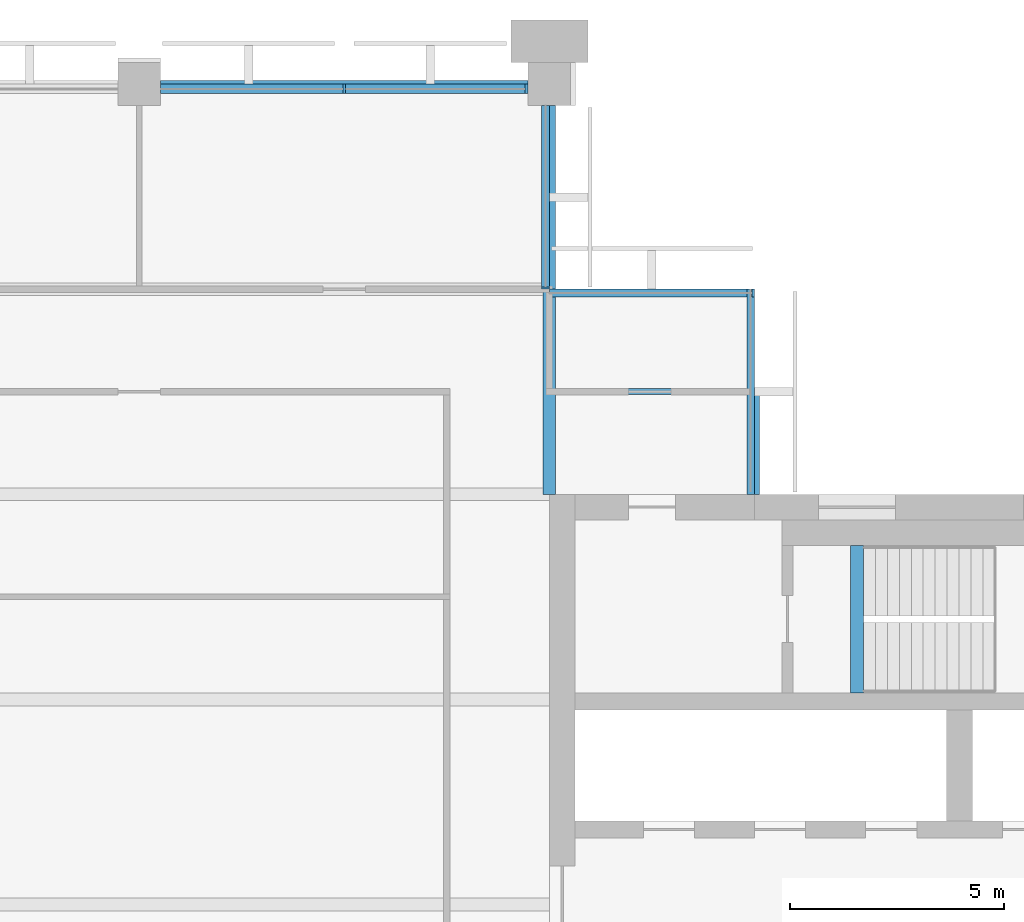
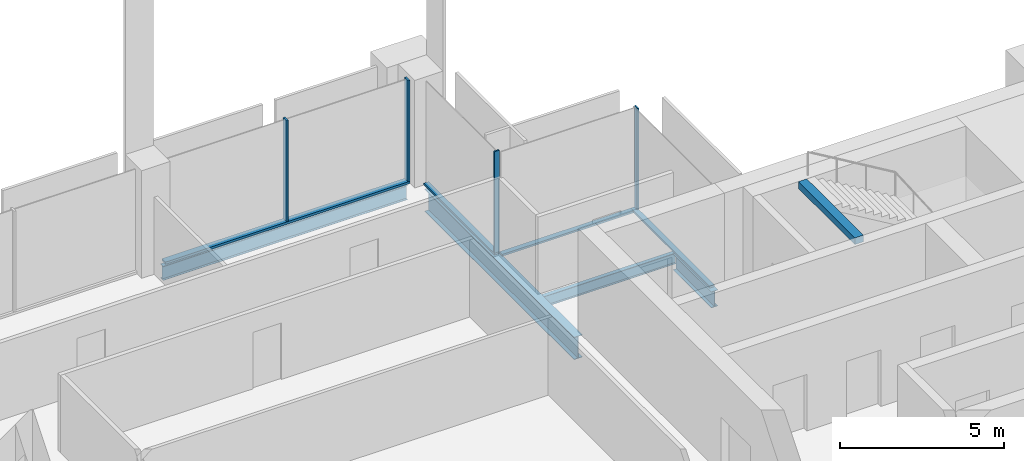
# One storey, part 6 of 12: 8 members, 5 beams, 4 elements without a shape of their own.
"""IFC4 building model written with IfcOpenShell, lengths in metres."""

import ifcopenshell
import ifcopenshell.guid

model = None  # the IFC model being written
_history = None  # IfcOwnerHistory: only IFC2X3 demands one
_inside = {}  # id of a spatial element -> (the spatial element, [elements in it])
_under = {}  # id of a project, library or spatial element -> (it, [spatial elements below it])
_declared = {}  # id of a project -> (the project, [libraries it declares])
_typed = {}  # id of a type object -> (the type object, [elements of that type])
_made_of = {}  # id of a material, layer set ... -> (it, [elements and type objects made of it])


def new_model(schema):
    """Start an empty IFC model of exactly this schema.

    Asked for "IFC4X3", IfcOpenShell would pick the latest addendum, in which some entities
    have other attributes; the version numbers below select the first issue.
    IFC2X3 requires an IfcOwnerHistory on every rooted entity: one is made here for all.
    """
    global model, _history
    if schema == "IFC4X3":
        model = ifcopenshell.file(schema_version=(4, 3, 0, 0))
    else:
        model = ifcopenshell.file(schema=schema)
    _inside.clear()
    _under.clear()
    _declared.clear()
    _typed.clear()
    _made_of.clear()
    _history = None
    if model.schema == "IFC2X3":
        org = make("IfcOrganization", Name="unknown")
        user = make(
            "IfcPersonAndOrganization",
            ThePerson=make("IfcPerson", FamilyName="unknown"),
            TheOrganization=org,
        )
        app = make(
            "IfcApplication",
            ApplicationDeveloper=org,
            Version="unknown",
            ApplicationFullName="unknown",
            ApplicationIdentifier="unknown",
        )
        _history = make(
            "IfcOwnerHistory",
            OwningUser=user,
            OwningApplication=app,
            ChangeAction="ADDED",
            CreationDate=0,
        )
    return model


def make(cls, **values):
    """One entity of the class cls with the attributes given. An attribute that is None is left unset."""
    return model.create_entity(
        cls, **{name: value for name, value in values.items() if value is not None}
    )


def rooted(cls, **values):
    """An entity with a GlobalId (a new one), such as an element, a storey or a relation."""
    return make(cls, GlobalId=ifcopenshell.guid.new(), OwnerHistory=_history, **values)


def si_unit(unit_type, name, prefix=None):
    """IfcSIUnit, for example si_unit("LENGTHUNIT", "METRE", prefix="MILLI")."""
    return make("IfcSIUnit", UnitType=unit_type, Prefix=prefix, Name=name)


def assignment(units):
    """IfcUnitAssignment: the units of a project."""
    return None if units is None else make("IfcUnitAssignment", Units=units)


def point(xyz):
    """IfcCartesianPoint."""
    return None if xyz is None else make("IfcCartesianPoint", Coordinates=xyz)


def direction(xyz):
    """IfcDirection."""
    return None if xyz is None else make("IfcDirection", DirectionRatios=xyz)


def frame(location, z_axis=None, x_axis=None):
    """IfcAxis2Placement3D, a coordinate frame: its origin and axes. An axis left out is left unset."""
    return make(
        "IfcAxis2Placement3D",
        Location=point(location),
        Axis=direction(z_axis),
        RefDirection=direction(x_axis),
    )


def frame_2d(location, x_axis=None):
    """IfcAxis2Placement2D, a coordinate frame in the plane: its origin and x axis."""
    return make(
        "IfcAxis2Placement2D", Location=point(location), RefDirection=direction(x_axis)
    )


def origin():
    """The frame at (0, 0, 0) with its axes left unset."""
    return frame((0.0, 0.0, 0.0))


def origin_2d():
    """The frame at (0, 0) in the plane with its x axis left unset."""
    return frame_2d((0.0, 0.0))


def place(relative_to, where):
    """IfcLocalPlacement: puts the frame where relative to a parent placement (None: the world)."""
    return make(
        "IfcLocalPlacement", PlacementRelTo=relative_to, RelativePlacement=where
    )


def context(
    kind, dimensions, precision=None, world=None, true_north=None, identifier=None
):
    """IfcGeometricRepresentationContext, for example the 3D "Model" context."""
    return make(
        "IfcGeometricRepresentationContext",
        ContextIdentifier=identifier,
        ContextType=kind,
        CoordinateSpaceDimension=dimensions,
        Precision=precision,
        WorldCoordinateSystem=world,
        TrueNorth=true_north,
    )


def subcontext(parent, identifier, kind, view, scale=None):
    """IfcGeometricRepresentationSubContext, for example "Body" below "Model"."""
    return make(
        "IfcGeometricRepresentationSubContext",
        ContextIdentifier=identifier,
        ContextType=kind,
        ParentContext=parent,
        TargetScale=scale,
        TargetView=view,
    )


def project(units=None, contexts=None):
    """IfcProject with its units and contexts."""
    return rooted(
        "IfcProject",
        Name="project",
        RepresentationContexts=contexts,
        UnitsInContext=assignment(units),
    )


def spatial(cls, under=None, at=None, **own):
    """A site, building, storey or space (cls), placed at a placement, below another one or the project."""
    s = rooted(cls, ObjectPlacement=at, **own)
    if under is not None:
        _under.setdefault(under.id(), (under, []))[1].append(s)
    return s


def profile(cls, at=None, kind="AREA", **sizes):
    """A parametric profile (cls). Its sizes go by their IFC names, for example OverallWidth=200.0."""
    return make(cls, ProfileType=kind, Position=at, **sizes)


def rectangle(**sizes):
    """IfcRectangleProfileDef."""
    return profile("IfcRectangleProfileDef", **sizes)


def i_section(**sizes):
    """IfcIShapeProfileDef."""
    return profile("IfcIShapeProfileDef", **sizes)


def extrude(swept, where, along, depth):
    """IfcExtrudedAreaSolid: the profile swept, set in the frame where, extruded along a direction by depth."""
    return make(
        "IfcExtrudedAreaSolid",
        SweptArea=swept,
        Position=where,
        ExtrudedDirection=direction(along),
        Depth=depth,
    )


def shape(context_of_items, identifier, shape_type, items):
    """IfcShapeRepresentation: the items that make up one representation, for example the "Body"."""
    return make(
        "IfcShapeRepresentation",
        ContextOfItems=context_of_items,
        RepresentationIdentifier=identifier,
        RepresentationType=shape_type,
        Items=items,
    )


def material(Name=None, Category=None):
    """IfcMaterial."""
    return make("IfcMaterial", Name=Name, Category=Category)


def material_profile(
    of_material, cross_section, Name=None, Category=None, Priority=None
):
    """IfcMaterialProfile: a cross section and its material."""
    return make(
        "IfcMaterialProfile",
        Name=Name,
        Material=of_material,
        Profile=cross_section,
        Priority=Priority,
        Category=Category,
    )


def profile_set(profiles, Name=None, composite=None):
    """IfcMaterialProfileSet."""
    return make(
        "IfcMaterialProfileSet",
        Name=Name,
        MaterialProfiles=profiles,
        CompositeProfile=composite,
    )


def made_of(thing, what):
    """Note that an element or type object is made of a material, layer set ...; save() writes the relation."""
    if what is not None:
        _made_of.setdefault(what.id(), (what, []))[1].append(thing)
    return thing


def type_object(cls, material=None, **own):
    """A type object (cls), such as IfcWallType, which elements share."""
    return made_of(rooted(cls, **own), material)


def element(
    cls,
    number,
    at=None,
    inside=None,
    cuts=None,
    type_object=None,
    material=None,
    context=None,
    identifier="Body",
    shape_type=None,
    held_by="IfcProductDefinitionShape",
    body=None,
    shapes=None,
    **own,
):
    """One element of the class cls, such as IfcWall. Its Tag is "e" and its number.

    at: its placement. inside: the storey or other place that contains it. cuts: it is an
    opening in that element (IfcRelVoidsElement). A single representation is given by context,
    identifier, shape_type and body (its items); several are given by shapes. held_by: the class
    of the entity that holds the representations. save() writes the other relations.
    """
    e = rooted(cls, Tag="e%d" % number, ObjectPlacement=at, **own)
    if body is not None:
        shapes = [shape(context, identifier, shape_type, body)]
    if shapes is not None:
        e.Representation = make(held_by, Representations=shapes)
    if inside is not None:
        _inside.setdefault(inside.id(), (inside, []))[1].append(e)
    if cuts is not None:
        rooted(
            "IfcRelVoidsElement", RelatingBuildingElement=cuts, RelatedOpeningElement=e
        )
    if type_object is not None:
        _typed.setdefault(type_object.id(), (type_object, []))[1].append(e)
    return made_of(e, material)


def aggregate(whole, parts):
    """IfcRelAggregates: a whole, such as a stair, and the parts it consists of."""
    return rooted("IfcRelAggregates", RelatingObject=whole, RelatedObjects=parts)


def save(model, path):
    """Write the relations noted so far, then the file.

    IfcRelAggregates (storeys below a building ...), IfcRelContainedInSpatialStructure (elements
    in a storey), IfcRelDefinesByType, IfcRelAssociatesMaterial and IfcRelDeclares: one each for
    every whole, place, type object, material and project.
    """
    for whole, parts in _under.values():
        aggregate(whole, parts)
    for where, things in _inside.values():
        rooted(
            "IfcRelContainedInSpatialStructure",
            RelatedElements=things,
            RelatingStructure=where,
        )
    for kind, things in _typed.values():
        rooted("IfcRelDefinesByType", RelatedObjects=things, RelatingType=kind)
    for what, things in _made_of.values():
        rooted("IfcRelAssociatesMaterial", RelatedObjects=things, RelatingMaterial=what)
    for by, libraries in _declared.values():
        rooted("IfcRelDeclares", RelatingContext=by, RelatedDefinitions=libraries)
    model.write(path)


model = new_model("IFC4")

# Units and contexts
model_context = context("Model", 3, precision=1e-05, world=origin(), true_north=direction((0.0, 1.0)))
body_context = subcontext(model_context, "Body", "Model", "MODEL_VIEW")
ifc_project = project(units=[si_unit("LENGTHUNIT", "METRE"), si_unit("AREAUNIT", "SQUARE_METRE"), si_unit("VOLUMEUNIT", "CUBIC_METRE"), si_unit("PLANEANGLEUNIT", "RADIAN"), si_unit("MASSUNIT", "GRAM", prefix="KILO")], contexts=[model_context])

# Site, building, storey
site_placement = place(None, origin())
site = spatial("IfcSite", under=ifc_project, at=site_placement, CompositionType="ELEMENT")
building_placement = place(site_placement, origin())
building = spatial("IfcBuilding", under=site, at=building_placement, Name="Baori Bourse Tower", CompositionType="ELEMENT")
storey_placement = place(building_placement, frame((0.0, 0.0, 306.300048828125)))
storey = spatial("IfcBuildingStorey", under=building, at=storey_placement, Name="L67", CompositionType="ELEMENT", Elevation=306.300048828125)

# Curtain wall, member
ifc_material_1 = material(Name="Pale anodised aluminium", Category="aluminium")
curtain_wall_type_1 = type_object("IfcCurtainWallType", Name="CW2 Curtain wall", PredefinedType="NOTDEFINED", material=ifc_material_1)
curtain_wall_1_placement = place(storey_placement, origin())
curtain_wall_1 = element("IfcCurtainWall", 1, at=curtain_wall_1_placement, inside=storey, type_object=curtain_wall_type_1, Name="Curtain wall CW2 L67 2", PredefinedType="NOTDEFINED")
ifc_material_2 = material(Name="Pale anodised aluminium", Category="aluminium")
ifc_material_profile_1 = material_profile(ifc_material_2, rectangle(XDim=0.179931640625, YDim=0.054931640625, at=origin_2d()), Name="Mullion 55x180")
ifc_profile_set_1 = profile_set([ifc_material_profile_1], Name="Pale anodised aluminium")
member_type_1 = type_object("IfcMemberType", Name="CW2 Curtain wall mullion", PredefinedType="MULLION", material=ifc_profile_set_1)
member_1_placement = place(storey_placement, frame((43.172607421875, 43.110107421875, 0.070068359375), z_axis=(0.0, 0.0, 1.0), x_axis=(0.0, -1.0, 0.0)))
member_1 = element("IfcMember", 2, at=member_1_placement, type_object=member_type_1, Name="Curtain wall CW2 mullion", PredefinedType="MULLION", context=body_context, shape_type="SweptSolid", body=[
    extrude(rectangle(XDim=0.179931640625, YDim=0.054931640625, at=origin_2d()), origin(), (0.0, 0.0, 1.0), 3.769775390625),
])

curtain_wall_2_placement = place(storey_placement, origin())
curtain_wall_2 = element("IfcCurtainWall", 3, at=curtain_wall_2_placement, inside=storey, type_object=curtain_wall_type_1, Name="Curtain wall CW2 L67 3", PredefinedType="NOTDEFINED")
member_2_placement = place(storey_placement, frame((38.31005859375, 43.2275390625, 0.070068359375), z_axis=(0.0, 0.0, 1.0), x_axis=(-1.0, 0.0, 0.0)))
member_2 = element("IfcMember", 4, at=member_2_placement, type_object=member_type_1, Name="Curtain wall CW2 mullion", PredefinedType="MULLION", context=body_context, shape_type="SweptSolid", body=[
    extrude(rectangle(XDim=0.179931640625, YDim=0.054931640625, at=origin_2d()), origin(), (0.0, 0.0, 1.0), 3.769775390625),
])

curtain_wall_3_placement = place(storey_placement, origin())
curtain_wall_3 = element("IfcCurtainWall", 5, at=curtain_wall_3_placement, inside=storey, type_object=curtain_wall_type_1, Name="Curtain wall CW2 L67 1", PredefinedType="NOTDEFINED")
ifc_material_3 = material(Name="Pale anodised aluminium", Category="aluminium")
ifc_material_profile_2 = material_profile(ifc_material_3, rectangle(XDim=0.179931640625, YDim=0.070068359375, at=origin_2d()), Name="Transom 70x180")
ifc_profile_set_2 = profile_set([ifc_material_profile_2], Name="Pale anodised aluminium")
member_type_2 = type_object("IfcMemberType", Name="CW2 Curtain wall transom", PredefinedType="USERDEFINED", material=ifc_profile_set_2)
member_3_placement = place(storey_placement, frame((43.110107421875, 38.39990234375, 0.034912109375), z_axis=(0.0, 1.0, 0.0), x_axis=(-1.0, 0.0, 0.0)))
member_3 = element("IfcMember", 6, at=member_3_placement, type_object=member_type_2, Name="Curtain wall CW2 sill rail", ObjectType="TRANSOM", PredefinedType="USERDEFINED", context=body_context, shape_type="SweptSolid", body=[
    extrude(rectangle(XDim=0.179931640625, YDim=0.070068359375, at=origin_2d()), origin(), (0.0, 0.0, 1.0), 4.800048828125),
])
aggregate(curtain_wall_3, [member_3])

# Member
member_4_placement = place(storey_placement, frame((43.199951171875, 43.110107421875, 0.034912109375), z_axis=(-1.0, 0.0, 0.0), x_axis=(0.0, -1.0, 0.0)))
member_4 = element("IfcMember", 7, at=member_4_placement, type_object=member_type_2, Name="Curtain wall CW2 sill rail", ObjectType="TRANSOM", PredefinedType="USERDEFINED", context=body_context, shape_type="SweptSolid", body=[
    extrude(rectangle(XDim=0.179931640625, YDim=0.070068359375, at=origin_2d()), origin(), (0.0, 0.0, 1.0), 4.800048828125),
])

aggregate(curtain_wall_1, [member_4, member_1])

member_5_placement = place(storey_placement, frame((38.31005859375, 43.199951171875, 0.034912109375), z_axis=(0.0, 1.0, 0.0), x_axis=(-1.0, 0.0, 0.0)))
member_5 = element("IfcMember", 8, at=member_5_placement, type_object=member_type_2, Name="Curtain wall CW2 sill rail", ObjectType="TRANSOM", PredefinedType="USERDEFINED", context=body_context, shape_type="SweptSolid", body=[
    extrude(rectangle(XDim=0.179931640625, YDim=0.070068359375, at=origin_2d()), origin(), (0.0, 0.0, 1.0), 4.300048828125),
])

aggregate(curtain_wall_2, [member_5, member_2])

# Curtain wall, members
ifc_material_4 = material(Name="Pale anodised aluminium", Category="aluminium")
curtain_wall_type_2 = type_object("IfcCurtainWallType", Name="CW5 Curtain wall", PredefinedType="NOTDEFINED", material=ifc_material_4)
curtain_wall_4_placement = place(storey_placement, origin())
curtain_wall_4 = element("IfcCurtainWall", 9, at=curtain_wall_4_placement, inside=storey, type_object=curtain_wall_type_2, Name="Curtain wall CW5 L67 4", PredefinedType="NOTDEFINED")
ifc_material_5 = material(Name="Pale anodised aluminium", Category="aluminium")
ifc_material_profile_3 = material_profile(ifc_material_5, rectangle(XDim=0.219970703125, YDim=0.06494140625, at=origin_2d()), Name="Mullion 65x220")
ifc_profile_set_3 = profile_set([ifc_material_profile_3], Name="Pale anodised aluminium")
member_type_3 = type_object("IfcMemberType", Name="CW5 Curtain wall mullion", PredefinedType="MULLION", material=ifc_profile_set_3)
member_6_placement = place(storey_placement, frame((37.867431640625, 47.889892578125, 0.0849609375), z_axis=(0.0, 0.0, 1.0), x_axis=(0.0, -1.0, 0.0)))
member_6 = element("IfcMember", 10, at=member_6_placement, type_object=member_type_3, Name="Curtain wall CW5 mullion", PredefinedType="MULLION", context=body_context, shape_type="SweptSolid", body=[
    extrude(rectangle(XDim=0.219970703125, YDim=0.06494140625, at=origin_2d()), origin(), (0.0, 0.0, 1.0), 3.7548828125),
])
member_7_placement = place(storey_placement, frame((33.60009765625, 47.889892578125, 0.0849609375), z_axis=(0.0, 0.0, 1.0), x_axis=(0.0, -1.0, 0.0)))
member_7 = element("IfcMember", 11, at=member_7_placement, type_object=member_type_3, Name="Curtain wall CW5 mullion", PredefinedType="MULLION", context=body_context, shape_type="SweptSolid", body=[
    extrude(rectangle(XDim=0.219970703125, YDim=0.06494140625, at=origin_2d()), origin(), (0.0, 0.0, 1.0), 3.7548828125),
])
ifc_material_6 = material(Name="Pale anodised aluminium", Category="aluminium")
ifc_material_profile_4 = material_profile(ifc_material_6, rectangle(XDim=0.219970703125, YDim=0.0849609375, at=origin_2d()), Name="Transom 85x220")
ifc_profile_set_4 = profile_set([ifc_material_profile_4], Name="Pale anodised aluminium")
member_type_4 = type_object("IfcMemberType", Name="CW5 Curtain wall transom", PredefinedType="USERDEFINED", material=ifc_profile_set_4)
member_8_placement = place(storey_placement, frame((37.89990234375, 47.889892578125, 0.04248046875), z_axis=(-1.0, 0.0, 0.0), x_axis=(0.0, -1.0, 0.0)))
member_8 = element("IfcMember", 12, at=member_8_placement, type_object=member_type_4, Name="Curtain wall CW5 sill rail", ObjectType="TRANSOM", PredefinedType="USERDEFINED", context=body_context, shape_type="SweptSolid", body=[
    extrude(rectangle(XDim=0.219970703125, YDim=0.0849609375, at=origin_2d()), origin(), (0.0, 0.0, 1.0), 8.599853515625),
])
aggregate(curtain_wall_4, [member_8, member_6, member_7])

# Beams
ifc_material_7 = material(Name="Steel A992 Gr 50", Category="steel")
ifc_material_profile_5 = material_profile(ifc_material_7, i_section(OverallWidth=0.227783203125, OverallDepth=0.60205078125, WebThickness=0.010498046875, FlangeThickness=0.014892578125, at=origin_2d()), Name="W24x68")
ifc_profile_set_5 = profile_set([ifc_material_profile_5], Name="Steel A992 Gr 50")
beam_type_1 = type_object("IfcBeamType", Name="Core bracket W24x68", PredefinedType="BEAM", material=ifc_profile_set_5)
beam_1_placement = place(storey_placement, frame((43.199951171875, 38.39990234375, -0.4609375), z_axis=(0.0, 1.0, 0.0), x_axis=(-1.0, 0.0, 0.0)))
element("IfcBeam", 13, at=beam_1_placement, inside=storey, type_object=beam_type_1, Name="Core bracket L67", PredefinedType="BEAM", context=body_context, shape_type="SweptSolid", body=[
    extrude(i_section(OverallWidth=0.227783203125, OverallDepth=0.60205078125, WebThickness=0.010498046875, FlangeThickness=0.014892578125, at=origin_2d()), origin(), (0.0, 0.0, 1.0), 2.329833984375),
])
ifc_material_8 = material(Name="Steel A992 Gr 50", Category="steel")
ifc_material_profile_6 = material_profile(ifc_material_8, i_section(OverallWidth=0.1650390625, OverallDepth=0.52587890625, WebThickness=0.0087890625, FlangeThickness=0.011474609375, at=origin_2d()), Name="W21x44")
ifc_profile_set_6 = profile_set([ifc_material_profile_6], Name="Steel A992 Gr 50")
beam_type_2 = type_object("IfcBeamType", Name="Edge beam W21x44", PredefinedType="BEAM", material=ifc_profile_set_6)
beam_2_placement = place(storey_placement, frame((29.300048828125, 48.0, -0.4228515625), z_axis=(1.0, 0.0, 0.0), x_axis=(0.0, 1.0, 0.0)))
element("IfcBeam", 14, at=beam_2_placement, inside=storey, type_object=beam_type_2, Name="Edge beam L67", PredefinedType="BEAM", context=body_context, shape_type="SweptSolid", body=[
    extrude(i_section(OverallWidth=0.1650390625, OverallDepth=0.52587890625, WebThickness=0.0087890625, FlangeThickness=0.011474609375, at=origin_2d()), origin(), (0.0, 0.0, 1.0), 8.599853515625),
])
ifc_material_9 = material(Name="Steel A992 Gr 50", Category="steel")
ifc_material_profile_7 = material_profile(ifc_material_9, i_section(OverallWidth=0.2919921875, OverallDepth=0.835693359375, WebThickness=0.013916015625, FlangeThickness=0.018798828125, at=origin_2d()), Name="W33x118")
ifc_profile_set_7 = profile_set([ifc_material_profile_7], Name="Steel A992 Gr 50")
beam_type_3 = type_object("IfcBeamType", Name="Girder W33x118", PredefinedType="BEAM", material=ifc_profile_set_7)
beam_3_placement = place(storey_placement, frame((38.39990234375, 38.39990234375, -0.577880859375), z_axis=(0.0, 1.0, 0.0), x_axis=(-1.0, 0.0, 0.0)))
element("IfcBeam", 15, at=beam_3_placement, inside=storey, type_object=beam_type_3, Name="Girder L67", PredefinedType="BEAM", context=body_context, shape_type="SweptSolid", body=[
    extrude(i_section(OverallWidth=0.2919921875, OverallDepth=0.835693359375, WebThickness=0.013916015625, FlangeThickness=0.018798828125, at=origin_2d()), origin(), (0.0, 0.0, 1.0), 9.10009765625),
])
ifc_material_10 = material(Name="Concrete f'c 50 MPa", Category="concrete")
ifc_material_profile_8 = material_profile(ifc_material_10, rectangle(XDim=0.300048828125, YDim=0.25, at=origin_2d()), Name="RC 300x250")
ifc_profile_set_8 = profile_set([ifc_material_profile_8], Name="Concrete f'c 50 MPa")
beam_type_4 = type_object("IfcBeamType", Name="Stair nib beam RC 300x250", PredefinedType="BEAM", material=ifc_profile_set_8)
beam_4_placement = place(storey_placement, frame((45.60009765625, 33.75, 3.71484375), z_axis=(0.0, 1.0, 0.0), x_axis=(-1.0, 0.0, 0.0)))
element("IfcBeam", 16, at=beam_4_placement, inside=storey, type_object=beam_type_4, Name="Stair EB nib beam L68", PredefinedType="BEAM", context=body_context, shape_type="SweptSolid", body=[
    extrude(rectangle(XDim=0.300048828125, YDim=0.25, at=origin_2d()), origin(), (0.0, 0.0, 1.0), 3.449951171875),
])
ifc_material_11 = material(Name="Steel A992 Gr 50", Category="steel")
ifc_material_profile_9 = material_profile(ifc_material_11, i_section(OverallWidth=0.140380859375, OverallDepth=0.40380859375, WebThickness=0.007080078125, FlangeThickness=0.01123046875, at=origin_2d()), Name="W16x31")
ifc_profile_set_9 = profile_set([ifc_material_profile_9], Name="Steel A992 Gr 50")
beam_type_5 = type_object("IfcBeamType", Name="Trimmer beam W16x31", PredefinedType="BEAM", material=ifc_profile_set_9)
beam_5_placement = place(storey_placement, frame((38.546142578125, 40.800048828125, -0.362060546875), z_axis=(1.0, 0.0, 0.0), x_axis=(0.0, 1.0, 0.0)))
element("IfcBeam", 17, at=beam_5_placement, inside=storey, type_object=beam_type_5, Name="Trimmer beam L67", PredefinedType="BEAM", context=body_context, shape_type="SweptSolid", body=[
    extrude(i_section(OverallWidth=0.140380859375, OverallDepth=0.40380859375, WebThickness=0.007080078125, FlangeThickness=0.01123046875, at=origin_2d()), origin(), (0.0, 0.0, 1.0), 4.65380859375),
])

save(model, "model.ifc")
